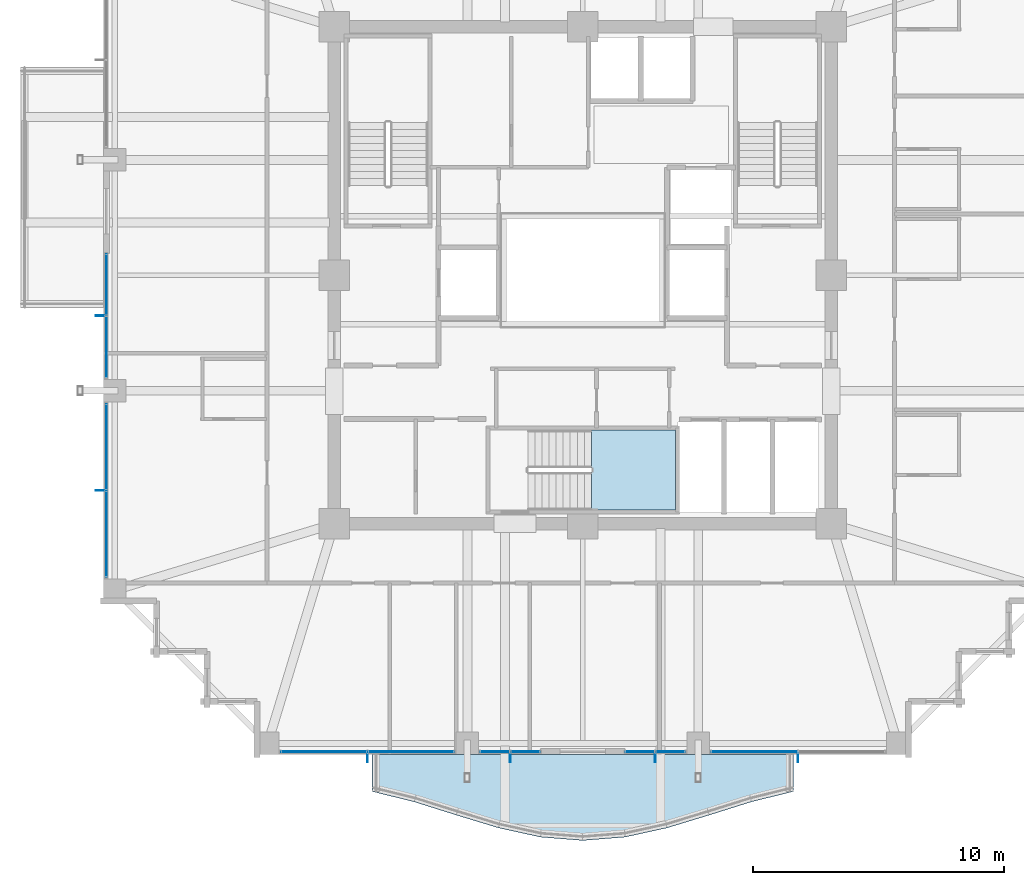
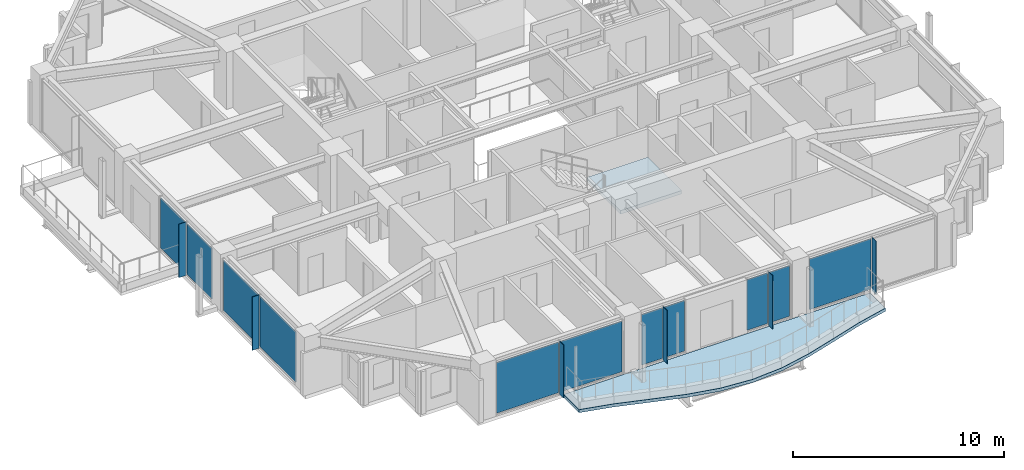
# One storey, part 22 of 34: 17 plates, 2 slabs, 7 elements without a shape of their own.
"""IFC4 building model written with IfcOpenShell, lengths in metres."""

from ifc_helpers import new_model, si_unit, direction, frame, origin, origin_2d, place, context, subcontext, project, spatial, polyline, rectangle, outline, extrude, material, layer, layer_set, type_object, element, aggregate, save


model = new_model("IFC4")

# Units and contexts
model_context = context("Model", 3, precision=1e-05, world=origin(), true_north=direction((0.0, 1.0)))
body_context = subcontext(model_context, "Body", "Model", "MODEL_VIEW")
ifc_project = project(units=[si_unit("LENGTHUNIT", "METRE"), si_unit("AREAUNIT", "SQUARE_METRE"), si_unit("VOLUMEUNIT", "CUBIC_METRE"), si_unit("PLANEANGLEUNIT", "RADIAN"), si_unit("MASSUNIT", "GRAM", prefix="KILO")], contexts=[model_context])

# Site, building, storey
site_placement = place(None, origin())
site = spatial("IfcSite", under=ifc_project, at=site_placement, CompositionType="ELEMENT")
building_placement = place(site_placement, origin())
building = spatial("IfcBuilding", under=site, at=building_placement, Name="Kolvaren Belvedere", CompositionType="ELEMENT")
storey_placement = place(building_placement, frame((0.0, 0.0, 166.800048828125)))
storey = spatial("IfcBuildingStorey", under=building, at=storey_placement, Name="L48", CompositionType="ELEMENT", Elevation=166.800048828125)

# Curtain wall, plate
ifc_material_1 = material(Name="Anodised pale-metal aluminium AA 6063-T6", Category="aluminium")
curtain_wall_type = type_object("IfcCurtainWallType", Name="CW-Z3-WAIST", PredefinedType="NOTDEFINED", material=ifc_material_1)
curtain_wall_1_placement = place(storey_placement, origin())
curtain_wall_1 = element("IfcCurtainWall", 1, at=curtain_wall_1_placement, inside=storey, type_object=curtain_wall_type, Name="L48 Unitised Curtain Wall FCW-L48-S1-B1", PredefinedType="NOTDEFINED")
ifc_material_2 = material(Name="Low-iron triple insulated glass", Category="glass")
ifc_layer_1 = layer(ifc_material_2, 0.028076171875)
ifc_layer_set_1 = layer_set([ifc_layer_1], Name="Low-iron triple insulated glass")
plate_type_1 = type_object("IfcPlateType", Name="CW-PNL-VIS28", PredefinedType="CURTAIN_PANEL", material=ifc_layer_set_1)
plate_1_placement = place(storey_placement, frame((6.8388671875, -18.97998046875, 0.080078125), z_axis=(0.0, 0.0, 1.0), x_axis=(-1.0, 0.0, 0.0)))
plate_1 = element("IfcPlate", 2, at=plate_1_placement, type_object=plate_type_1, Name="FCW-L48-S1-B1 Vision Glazing Panel 2", PredefinedType="CURTAIN_PANEL", context=body_context, shape_type="SweptSolid", body=[
    extrude(rectangle(XDim=3.392578125, YDim=0.028076171875, at=origin_2d()), origin(), (0.0, 0.0, 1.0), 2.93994140625),
])
aggregate(curtain_wall_1, [plate_1])

# Curtain wall, plates
curtain_wall_2_placement = place(storey_placement, origin())
curtain_wall_2 = element("IfcCurtainWall", 3, at=curtain_wall_2_placement, inside=storey, type_object=curtain_wall_type, Name="L48 Unitised Curtain Wall FCW-L48-S1-B2", PredefinedType="NOTDEFINED")
plate_2_placement = place(storey_placement, frame((3.4931640625, -18.97998046875, 0.080078125), z_axis=(0.0, 0.0, 1.0), x_axis=(-1.0, 0.0, 0.0)))
plate_2 = element("IfcPlate", 4, at=plate_2_placement, type_object=plate_type_1, Name="FCW-L48-S1-B2 Vision Glazing Panel 1", PredefinedType="CURTAIN_PANEL", context=body_context, shape_type="SweptSolid", body=[
    extrude(rectangle(XDim=1.12890625, YDim=0.028076171875, at=origin_2d()), origin(), (0.0, 0.0, 1.0), 2.93994140625),
])
plate_3_placement = place(storey_placement, frame((2.284423828125, -18.97998046875, 0.080078125), z_axis=(0.0, 0.0, 1.0), x_axis=(-1.0, 0.0, 0.0)))
plate_3 = element("IfcPlate", 5, at=plate_3_placement, type_object=plate_type_1, Name="FCW-L48-S1-B2 Vision Glazing Panel 2", PredefinedType="CURTAIN_PANEL", context=body_context, shape_type="SweptSolid", body=[
    extrude(rectangle(XDim=1.12890625, YDim=0.028076171875, at=origin_2d()), origin(), (0.0, 0.0, 1.0), 2.93994140625),
])
aggregate(curtain_wall_2, [plate_2, plate_3])

curtain_wall_3_placement = place(storey_placement, origin())
curtain_wall_3 = element("IfcCurtainWall", 6, at=curtain_wall_3_placement, inside=storey, type_object=curtain_wall_type, Name="L48 Unitised Curtain Wall FCW-L48-S2-B1", PredefinedType="NOTDEFINED")
plate_4_placement = place(storey_placement, frame((-2.284423828125, -18.97998046875, 0.080078125), z_axis=(0.0, 0.0, 1.0), x_axis=(-1.0, 0.0, 0.0)))
plate_4 = element("IfcPlate", 7, at=plate_4_placement, type_object=plate_type_1, Name="FCW-L48-S2-B1 Vision Glazing Panel 1", PredefinedType="CURTAIN_PANEL", context=body_context, shape_type="SweptSolid", body=[
    extrude(rectangle(XDim=1.12890625, YDim=0.028076171875, at=origin_2d()), origin(), (0.0, 0.0, 1.0), 2.93994140625),
])
plate_5_placement = place(storey_placement, frame((-3.4931640625, -18.97998046875, 0.080078125), z_axis=(0.0, 0.0, 1.0), x_axis=(-1.0, 0.0, 0.0)))
plate_5 = element("IfcPlate", 8, at=plate_5_placement, type_object=plate_type_1, Name="FCW-L48-S2-B1 Vision Glazing Panel 2", PredefinedType="CURTAIN_PANEL", context=body_context, shape_type="SweptSolid", body=[
    extrude(rectangle(XDim=1.12890625, YDim=0.028076171875, at=origin_2d()), origin(), (0.0, 0.0, 1.0), 2.93994140625),
])
aggregate(curtain_wall_3, [plate_4, plate_5])

curtain_wall_4_placement = place(storey_placement, origin())
curtain_wall_4 = element("IfcCurtainWall", 9, at=curtain_wall_4_placement, inside=storey, type_object=curtain_wall_type, Name="L48 Unitised Curtain Wall FCW-L48-S2-B2", PredefinedType="NOTDEFINED")
plate_6_placement = place(storey_placement, frame((-6.8388671875, -18.97998046875, 0.080078125), z_axis=(0.0, 0.0, 1.0), x_axis=(-1.0, 0.0, 0.0)))
plate_6 = element("IfcPlate", 10, at=plate_6_placement, type_object=plate_type_1, Name="FCW-L48-S2-B2 Vision Glazing Panel 1", PredefinedType="CURTAIN_PANEL", context=body_context, shape_type="SweptSolid", body=[
    extrude(rectangle(XDim=3.392578125, YDim=0.028076171875, at=origin_2d()), origin(), (0.0, 0.0, 1.0), 2.93994140625),
])
plate_7_placement = place(storey_placement, frame((-10.311279296875, -18.97998046875, 0.080078125), z_axis=(0.0, 0.0, 1.0), x_axis=(-1.0, 0.0, 0.0)))
plate_7 = element("IfcPlate", 11, at=plate_7_placement, type_object=plate_type_1, Name="FCW-L48-S2-B2 Vision Glazing Panel 2", PredefinedType="CURTAIN_PANEL", context=body_context, shape_type="SweptSolid", body=[
    extrude(rectangle(XDim=3.392578125, YDim=0.028076171875, at=origin_2d()), origin(), (0.0, 0.0, 1.0), 2.93994140625),
])
aggregate(curtain_wall_4, [plate_6, plate_7])

curtain_wall_5_placement = place(storey_placement, origin())
curtain_wall_5 = element("IfcCurtainWall", 12, at=curtain_wall_5_placement, inside=storey, type_object=curtain_wall_type, Name="L48 Unitised Curtain Wall FCW-L48-W1-B1", PredefinedType="NOTDEFINED")
plate_8_placement = place(storey_placement, frame((-18.97998046875, -10.311279296875, 0.080078125), z_axis=(0.0, 0.0, 1.0), x_axis=(0.0, 1.0, 0.0)))
plate_8 = element("IfcPlate", 13, at=plate_8_placement, type_object=plate_type_1, Name="FCW-L48-W1-B1 Vision Glazing Panel 1", PredefinedType="CURTAIN_PANEL", context=body_context, shape_type="SweptSolid", body=[
    extrude(rectangle(XDim=3.392578125, YDim=0.028076171875, at=origin_2d()), origin(), (0.0, 0.0, 1.0), 2.93994140625),
])
plate_9_placement = place(storey_placement, frame((-18.97998046875, -6.8388671875, 0.080078125), z_axis=(0.0, 0.0, 1.0), x_axis=(0.0, 1.0, 0.0)))
plate_9 = element("IfcPlate", 14, at=plate_9_placement, type_object=plate_type_1, Name="FCW-L48-W1-B1 Vision Glazing Panel 2", PredefinedType="CURTAIN_PANEL", context=body_context, shape_type="SweptSolid", body=[
    extrude(rectangle(XDim=3.392578125, YDim=0.028076171875, at=origin_2d()), origin(), (0.0, 0.0, 1.0), 2.93994140625),
])
aggregate(curtain_wall_5, [plate_8, plate_9])

curtain_wall_6_placement = place(storey_placement, origin())
curtain_wall_6 = element("IfcCurtainWall", 15, at=curtain_wall_6_placement, inside=storey, type_object=curtain_wall_type, Name="L48 Unitised Curtain Wall FCW-L48-W1-B2", PredefinedType="NOTDEFINED")
plate_10_placement = place(storey_placement, frame((-18.97998046875, -2.855712890625, 0.080078125), z_axis=(0.0, 0.0, 1.0), x_axis=(0.0, 1.0, 0.0)))
plate_10 = element("IfcPlate", 16, at=plate_10_placement, type_object=plate_type_1, Name="FCW-L48-W1-B2 Vision Glazing Panel 1", PredefinedType="CURTAIN_PANEL", context=body_context, shape_type="SweptSolid", body=[
    extrude(rectangle(XDim=2.40380859375, YDim=0.028076171875, at=origin_2d()), origin(), (0.0, 0.0, 1.0), 2.93994140625),
])
plate_11_placement = place(storey_placement, frame((-18.97998046875, -0.371826171875, 0.080078125), z_axis=(0.0, 0.0, 1.0), x_axis=(0.0, 1.0, 0.0)))
plate_11 = element("IfcPlate", 17, at=plate_11_placement, type_object=plate_type_1, Name="FCW-L48-W1-B2 Vision Glazing Panel 2", PredefinedType="CURTAIN_PANEL", context=body_context, shape_type="SweptSolid", body=[
    extrude(rectangle(XDim=2.40380859375, YDim=0.028076171875, at=origin_2d()), origin(), (0.0, 0.0, 1.0), 2.93994140625),
])
aggregate(curtain_wall_6, [plate_10, plate_11])

# Plates
ifc_material_3 = material(Name="Anodised pale-metal aluminium AA 6063-T6", Category="aluminium")
ifc_layer_2 = layer(ifc_material_3, 0.033935546875)
ifc_layer_set_2 = layer_set([ifc_layer_2], Name="Anodised pale-metal aluminium AA 6063-T6")
plate_type_2 = type_object("IfcPlateType", Name="FIN-VERT-380", PredefinedType="USERDEFINED", material=ifc_layer_set_2)
for number, where, z_axis, x_axis, name in (
    (18, (8.574951171875, -19.219970703125, 0.0), (0.0, 0.0, 1.0), (0.0, 1.0, 0.0), "L48 Pale-Metal Vertical Shading Fin FCW-L48-S1-B1-1"),
    (19, (2.888671875, -19.219970703125, 0.0), (0.0, 0.0, 1.0), (0.0, 1.0, 0.0), "L48 Pale-Metal Vertical Shading Fin FCW-L48-S1-B2-1"),
    (20, (-2.888671875, -19.219970703125, 0.0), (0.0, 0.0, 1.0), (0.0, 1.0, 0.0), "L48 Pale-Metal Vertical Shading Fin FCW-L48-S2-B1-1"),
    (21, (-8.574951171875, -19.219970703125, 0.0), (0.0, 0.0, 1.0), (0.0, 1.0, 0.0), "L48 Pale-Metal Vertical Shading Fin FCW-L48-S2-B2-1"),
    (22, (-19.219970703125, -8.574951171875, 0.0), (0.0, 0.0, 1.0), (1.0, 0.0, 0.0), "L48 Pale-Metal Vertical Shading Fin FCW-L48-W1-B1-1"),
    (23, (-19.219970703125, -1.61376953125, 0.0), (0.0, 0.0, 1.0), (1.0, 0.0, 0.0), "L48 Pale-Metal Vertical Shading Fin FCW-L48-W1-B2-1"),
):
    element("IfcPlate", number, at=place(storey_placement, frame(where, z_axis=z_axis, x_axis=x_axis)), inside=storey, type_object=plate_type_2, Name=name, ObjectType="VERTICAL FIN", PredefinedType="USERDEFINED", context=body_context, shape_type="SweptSolid", body=[
        extrude(rectangle(XDim=0.3798828125, YDim=0.033935546875, at=origin_2d()), origin(), (0.0, 0.0, 1.0), 3.10009765625),
    ])

# Slab
ifc_material_4 = material(Name="Concrete C50/60", Category="concrete")
ifc_layer_3 = layer(ifc_material_4, 0.179931640625)
ifc_layer_set_3 = layer_set([ifc_layer_3], Name="Concrete C50/60")
slab_type_1 = type_object("IfcSlabType", Name="SL-BAL-180", PredefinedType="FLOOR", material=ifc_layer_set_3)
slab_1_placement = place(storey_placement, frame((0.0, 0.0, -0.199951171875)))
element("IfcSlab", 24, at=slab_1_placement, inside=storey, type_object=slab_type_1, Name="L48 Planted Balcony BAL-S", PredefinedType="FLOOR", context=body_context, shape_type="SweptSolid", body=[
    extrude(outline(polyline([(-8.39990234375, -20.56640625), (-6.719970703125, -20.980224609375), (-5.0400390625, -21.5078125), (-3.360107421875, -22.018798828125), (-1.679931640625, -22.386474609375), (0.0, -22.52001953125), (1.679931640625, -22.386474609375), (3.360107421875, -22.018798828125), (5.0400390625, -21.5078125), (6.719970703125, -20.980224609375), (8.39990234375, -20.56640625), (8.39990234375, -19.10009765625), (6.719970703125, -19.10009765625), (5.0400390625, -19.10009765625), (3.360107421875, -19.10009765625), (1.679931640625, -19.10009765625), (0.0, -19.10009765625), (-1.679931640625, -19.10009765625), (-3.360107421875, -19.10009765625), (-5.0400390625, -19.10009765625), (-6.719970703125, -19.10009765625), (-8.39990234375, -19.10009765625), (-8.39990234375, -20.56640625)])), origin(), (0.0, 0.0, 1.0), 0.179931640625),
])

# Stair, slab
ifc_material_5 = material(Name="Concrete C50/60", Category="concrete")
stair_type = type_object("IfcStairType", Name="ST-CORE-1520", PredefinedType="HALF_TURN_STAIR", material=ifc_material_5)
stair_placement = place(storey_placement, origin())
stair = element("IfcStair", 25, at=stair_placement, inside=storey, type_object=stair_type, Name="L48 Protected Exit Stair ST-3", PredefinedType="HALF_TURN_STAIR")
ifc_material_6 = material(Name="Concrete C50/60", Category="concrete")
ifc_layer_4 = layer(ifc_material_6, 0.260009765625)
ifc_layer_set_4 = layer_set([ifc_layer_4], Name="Concrete C50/60")
slab_type_2 = type_object("IfcSlabType", Name="SL-LAND-260", PredefinedType="LANDING", material=ifc_layer_set_4)
slab_2_placement = place(storey_placement, frame((0.0, 0.0, 1.449951171875)))
slab_2 = element("IfcSlab", 26, at=slab_2_placement, type_object=slab_type_2, Name="ST-3 landing 1", PredefinedType="LANDING", context=body_context, shape_type="SweptSolid", body=[
    extrude(outline(polyline([(0.340087890625, -9.35009765625), (3.699951171875, -9.35009765625), (3.699951171875, -6.159912109375), (0.340087890625, -6.159912109375), (0.340087890625, -9.35009765625)])), origin(), (0.0, 0.0, 1.0), 0.199951171875),
])
aggregate(stair, [slab_2])

save(model, "model.ifc")
